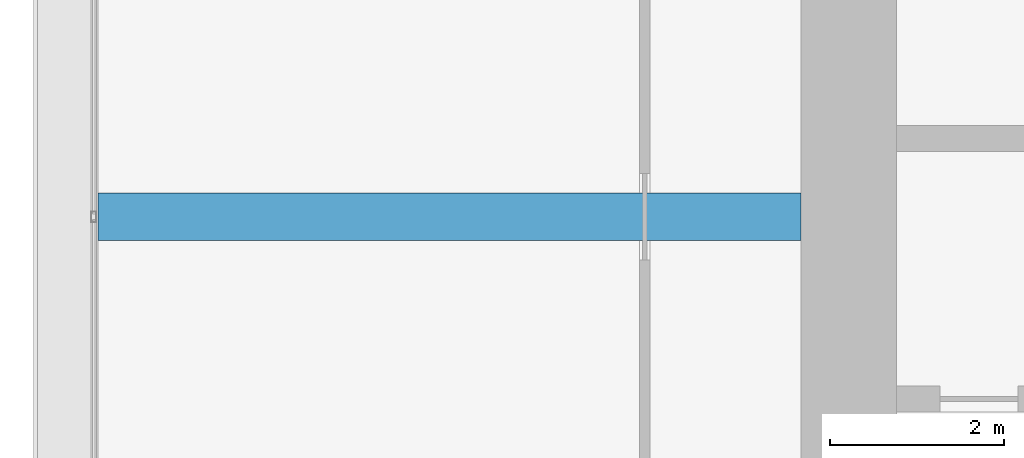
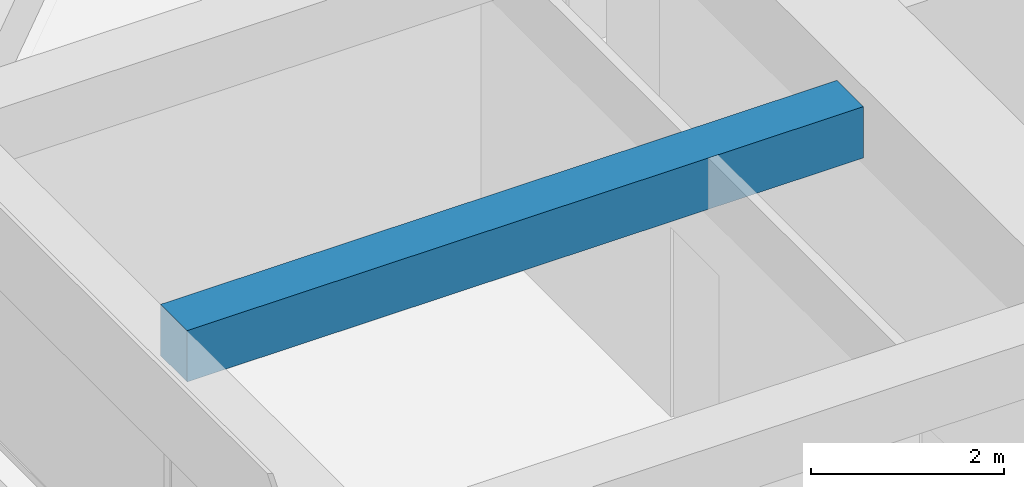
# One storey, part 17 of 44: 1 beam.
"""IFC4 building model written with IfcOpenShell, lengths in metres."""

import ifcopenshell
import ifcopenshell.guid

model = None  # the IFC model being written
_history = None  # IfcOwnerHistory: only IFC2X3 demands one
_inside = {}  # id of a spatial element -> (the spatial element, [elements in it])
_under = {}  # id of a project, library or spatial element -> (it, [spatial elements below it])
_declared = {}  # id of a project -> (the project, [libraries it declares])
_typed = {}  # id of a type object -> (the type object, [elements of that type])
_made_of = {}  # id of a material, layer set ... -> (it, [elements and type objects made of it])


def new_model(schema):
    """Start an empty IFC model of exactly this schema.

    Asked for "IFC4X3", IfcOpenShell would pick the latest addendum, in which some entities
    have other attributes; the version numbers below select the first issue.
    IFC2X3 requires an IfcOwnerHistory on every rooted entity: one is made here for all.
    """
    global model, _history
    if schema == "IFC4X3":
        model = ifcopenshell.file(schema_version=(4, 3, 0, 0))
    else:
        model = ifcopenshell.file(schema=schema)
    _inside.clear()
    _under.clear()
    _declared.clear()
    _typed.clear()
    _made_of.clear()
    _history = None
    if model.schema == "IFC2X3":
        org = make("IfcOrganization", Name="unknown")
        user = make(
            "IfcPersonAndOrganization",
            ThePerson=make("IfcPerson", FamilyName="unknown"),
            TheOrganization=org,
        )
        app = make(
            "IfcApplication",
            ApplicationDeveloper=org,
            Version="unknown",
            ApplicationFullName="unknown",
            ApplicationIdentifier="unknown",
        )
        _history = make(
            "IfcOwnerHistory",
            OwningUser=user,
            OwningApplication=app,
            ChangeAction="ADDED",
            CreationDate=0,
        )
    return model


def make(cls, **values):
    """One entity of the class cls with the attributes given. An attribute that is None is left unset."""
    return model.create_entity(
        cls, **{name: value for name, value in values.items() if value is not None}
    )


def rooted(cls, **values):
    """An entity with a GlobalId (a new one), such as an element, a storey or a relation."""
    return make(cls, GlobalId=ifcopenshell.guid.new(), OwnerHistory=_history, **values)


def si_unit(unit_type, name, prefix=None):
    """IfcSIUnit, for example si_unit("LENGTHUNIT", "METRE", prefix="MILLI")."""
    return make("IfcSIUnit", UnitType=unit_type, Prefix=prefix, Name=name)


def assignment(units):
    """IfcUnitAssignment: the units of a project."""
    return None if units is None else make("IfcUnitAssignment", Units=units)


def point(xyz):
    """IfcCartesianPoint."""
    return None if xyz is None else make("IfcCartesianPoint", Coordinates=xyz)


def direction(xyz):
    """IfcDirection."""
    return None if xyz is None else make("IfcDirection", DirectionRatios=xyz)


def frame(location, z_axis=None, x_axis=None):
    """IfcAxis2Placement3D, a coordinate frame: its origin and axes. An axis left out is left unset."""
    return make(
        "IfcAxis2Placement3D",
        Location=point(location),
        Axis=direction(z_axis),
        RefDirection=direction(x_axis),
    )


def frame_2d(location, x_axis=None):
    """IfcAxis2Placement2D, a coordinate frame in the plane: its origin and x axis."""
    return make(
        "IfcAxis2Placement2D", Location=point(location), RefDirection=direction(x_axis)
    )


def origin():
    """The frame at (0, 0, 0) with its axes left unset."""
    return frame((0.0, 0.0, 0.0))


def origin_2d():
    """The frame at (0, 0) in the plane with its x axis left unset."""
    return frame_2d((0.0, 0.0))


def place(relative_to, where):
    """IfcLocalPlacement: puts the frame where relative to a parent placement (None: the world)."""
    return make(
        "IfcLocalPlacement", PlacementRelTo=relative_to, RelativePlacement=where
    )


def context(
    kind, dimensions, precision=None, world=None, true_north=None, identifier=None
):
    """IfcGeometricRepresentationContext, for example the 3D "Model" context."""
    return make(
        "IfcGeometricRepresentationContext",
        ContextIdentifier=identifier,
        ContextType=kind,
        CoordinateSpaceDimension=dimensions,
        Precision=precision,
        WorldCoordinateSystem=world,
        TrueNorth=true_north,
    )


def subcontext(parent, identifier, kind, view, scale=None):
    """IfcGeometricRepresentationSubContext, for example "Body" below "Model"."""
    return make(
        "IfcGeometricRepresentationSubContext",
        ContextIdentifier=identifier,
        ContextType=kind,
        ParentContext=parent,
        TargetScale=scale,
        TargetView=view,
    )


def project(units=None, contexts=None):
    """IfcProject with its units and contexts."""
    return rooted(
        "IfcProject",
        Name="project",
        RepresentationContexts=contexts,
        UnitsInContext=assignment(units),
    )


def spatial(cls, under=None, at=None, **own):
    """A site, building, storey or space (cls), placed at a placement, below another one or the project."""
    s = rooted(cls, ObjectPlacement=at, **own)
    if under is not None:
        _under.setdefault(under.id(), (under, []))[1].append(s)
    return s


def profile(cls, at=None, kind="AREA", **sizes):
    """A parametric profile (cls). Its sizes go by their IFC names, for example OverallWidth=200.0."""
    return make(cls, ProfileType=kind, Position=at, **sizes)


def rectangle(**sizes):
    """IfcRectangleProfileDef."""
    return profile("IfcRectangleProfileDef", **sizes)


def extrude(swept, where, along, depth):
    """IfcExtrudedAreaSolid: the profile swept, set in the frame where, extruded along a direction by depth."""
    return make(
        "IfcExtrudedAreaSolid",
        SweptArea=swept,
        Position=where,
        ExtrudedDirection=direction(along),
        Depth=depth,
    )


def shape(context_of_items, identifier, shape_type, items):
    """IfcShapeRepresentation: the items that make up one representation, for example the "Body"."""
    return make(
        "IfcShapeRepresentation",
        ContextOfItems=context_of_items,
        RepresentationIdentifier=identifier,
        RepresentationType=shape_type,
        Items=items,
    )


def material(Name=None, Category=None):
    """IfcMaterial."""
    return make("IfcMaterial", Name=Name, Category=Category)


def material_profile(
    of_material, cross_section, Name=None, Category=None, Priority=None
):
    """IfcMaterialProfile: a cross section and its material."""
    return make(
        "IfcMaterialProfile",
        Name=Name,
        Material=of_material,
        Profile=cross_section,
        Priority=Priority,
        Category=Category,
    )


def profile_set(profiles, Name=None, composite=None):
    """IfcMaterialProfileSet."""
    return make(
        "IfcMaterialProfileSet",
        Name=Name,
        MaterialProfiles=profiles,
        CompositeProfile=composite,
    )


def made_of(thing, what):
    """Note that an element or type object is made of a material, layer set ...; save() writes the relation."""
    if what is not None:
        _made_of.setdefault(what.id(), (what, []))[1].append(thing)
    return thing


def type_object(cls, material=None, **own):
    """A type object (cls), such as IfcWallType, which elements share."""
    return made_of(rooted(cls, **own), material)


def element(
    cls,
    number,
    at=None,
    inside=None,
    cuts=None,
    type_object=None,
    material=None,
    context=None,
    identifier="Body",
    shape_type=None,
    held_by="IfcProductDefinitionShape",
    body=None,
    shapes=None,
    **own,
):
    """One element of the class cls, such as IfcWall. Its Tag is "e" and its number.

    at: its placement. inside: the storey or other place that contains it. cuts: it is an
    opening in that element (IfcRelVoidsElement). A single representation is given by context,
    identifier, shape_type and body (its items); several are given by shapes. held_by: the class
    of the entity that holds the representations. save() writes the other relations.
    """
    e = rooted(cls, Tag="e%d" % number, ObjectPlacement=at, **own)
    if body is not None:
        shapes = [shape(context, identifier, shape_type, body)]
    if shapes is not None:
        e.Representation = make(held_by, Representations=shapes)
    if inside is not None:
        _inside.setdefault(inside.id(), (inside, []))[1].append(e)
    if cuts is not None:
        rooted(
            "IfcRelVoidsElement", RelatingBuildingElement=cuts, RelatedOpeningElement=e
        )
    if type_object is not None:
        _typed.setdefault(type_object.id(), (type_object, []))[1].append(e)
    return made_of(e, material)


def aggregate(whole, parts):
    """IfcRelAggregates: a whole, such as a stair, and the parts it consists of."""
    return rooted("IfcRelAggregates", RelatingObject=whole, RelatedObjects=parts)


def save(model, path):
    """Write the relations noted so far, then the file.

    IfcRelAggregates (storeys below a building ...), IfcRelContainedInSpatialStructure (elements
    in a storey), IfcRelDefinesByType, IfcRelAssociatesMaterial and IfcRelDeclares: one each for
    every whole, place, type object, material and project.
    """
    for whole, parts in _under.values():
        aggregate(whole, parts)
    for where, things in _inside.values():
        rooted(
            "IfcRelContainedInSpatialStructure",
            RelatedElements=things,
            RelatingStructure=where,
        )
    for kind, things in _typed.values():
        rooted("IfcRelDefinesByType", RelatedObjects=things, RelatingType=kind)
    for what, things in _made_of.values():
        rooted("IfcRelAssociatesMaterial", RelatedObjects=things, RelatingMaterial=what)
    for by, libraries in _declared.values():
        rooted("IfcRelDeclares", RelatingContext=by, RelatedDefinitions=libraries)
    model.write(path)


model = new_model("IFC4")

# Units and contexts
model_context = context("Model", 3, precision=1e-05, world=origin(), true_north=direction((0.0, 1.0)))
body_context = subcontext(model_context, "Body", "Model", "MODEL_VIEW")
ifc_project = project(units=[si_unit("LENGTHUNIT", "METRE"), si_unit("AREAUNIT", "SQUARE_METRE"), si_unit("VOLUMEUNIT", "CUBIC_METRE"), si_unit("PLANEANGLEUNIT", "RADIAN"), si_unit("MASSUNIT", "GRAM", prefix="KILO")], contexts=[model_context])

# Site, building, storey
site_placement = place(None, origin())
site = spatial("IfcSite", under=ifc_project, at=site_placement, CompositionType="ELEMENT")
building_placement = place(site_placement, origin())
building = spatial("IfcBuilding", under=site, at=building_placement, Name="Zorevar Civic Tower", CompositionType="ELEMENT")
storey_placement = place(building_placement, frame((0.0, 0.0, 283.39990234375)))
storey = spatial("IfcBuildingStorey", under=building, at=storey_placement, Name="L69", CompositionType="ELEMENT", Elevation=283.39990234375)

# Beam
ifc_material = material(Name="Concrete C50/60", Category="concrete")
ifc_material_profile = material_profile(ifc_material, rectangle(XDim=0.550048828125, YDim=0.64990234375, at=origin_2d()), Name="RC 550x650")
ifc_profile_set = profile_set([ifc_material_profile], Name="Concrete C50/60")
beam_type = type_object("IfcBeamType", Name="Beam RC 550x650", PredefinedType="BEAM", material=ifc_profile_set)
beam_placement = place(storey_placement, frame((9.35009765625, 31.5, 3.425048828125), z_axis=(1.0, 0.0, 0.0), x_axis=(0.0, 1.0, 0.0)))
element("IfcBeam", 1, at=beam_placement, inside=storey, type_object=beam_type, Name="Secondary beam L70", PredefinedType="BEAM", context=body_context, shape_type="SweptSolid", body=[
    extrude(rectangle(XDim=0.550048828125, YDim=0.64990234375, at=origin_2d()), origin(), (0.0, 0.0, 1.0), 8.099853515625),
])

save(model, "model.ifc")
